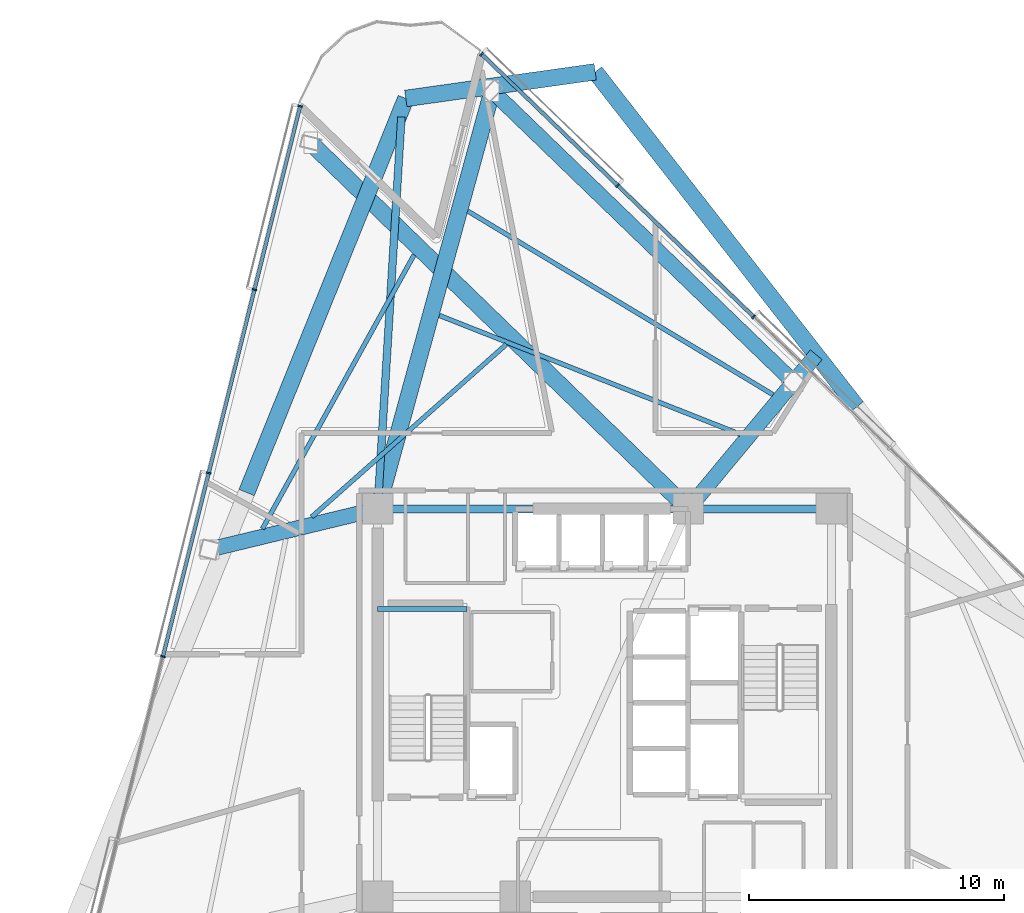
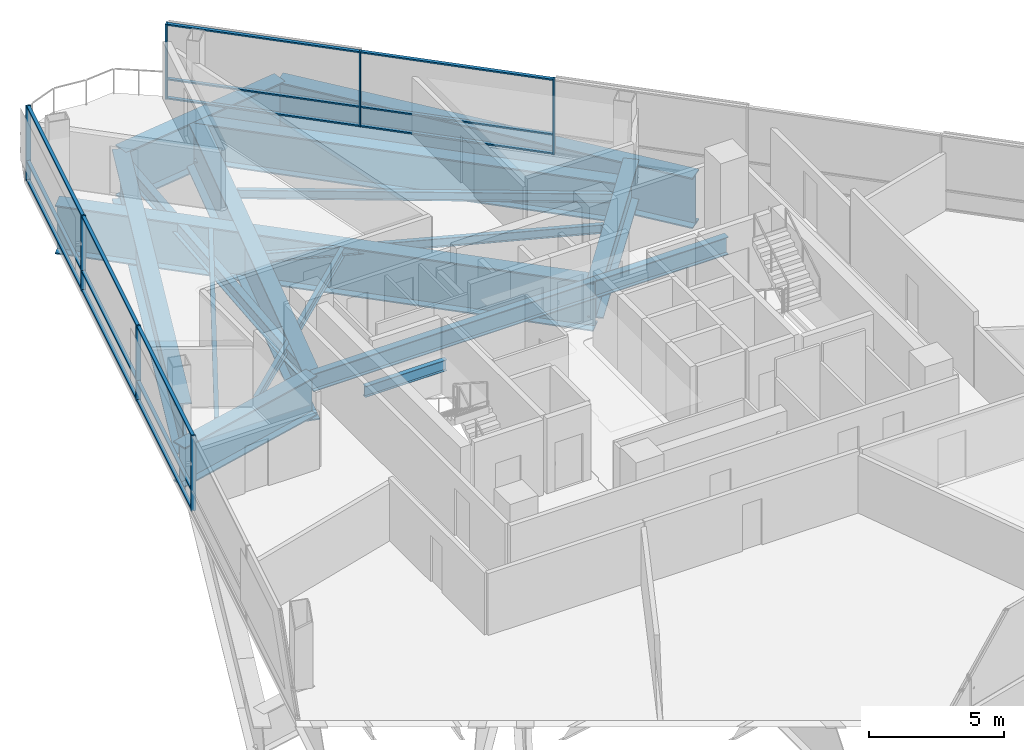
# One storey, part 8 of 21: 22 members, 16 beams, 2 elements without a shape of their own.
"""IFC4 building model written with IfcOpenShell, lengths in metres."""

from ifc_helpers import new_model, si_unit, direction, frame, origin, origin_2d, place, context, subcontext, project, spatial, rectangle, i_section, extrude, material, layer, layer_set, material_profile, profile_set, type_object, element, aggregate, save


model = new_model("IFC4")

# Units and contexts
model_context = context("Model", 3, precision=1e-05, world=origin(), true_north=direction((0.0, 1.0)))
body_context = subcontext(model_context, "Body", "Model", "MODEL_VIEW")
ifc_project = project(units=[si_unit("LENGTHUNIT", "METRE"), si_unit("AREAUNIT", "SQUARE_METRE"), si_unit("VOLUMEUNIT", "CUBIC_METRE"), si_unit("PLANEANGLEUNIT", "RADIAN"), si_unit("MASSUNIT", "GRAM", prefix="KILO")], contexts=[model_context])

# Site, building, storey
site_placement = place(None, origin())
site = spatial("IfcSite", under=ifc_project, at=site_placement, CompositionType="ELEMENT")
building_placement = place(site_placement, origin())
building = spatial("IfcBuilding", under=site, at=building_placement, Name="Tharavind Bronze Gate", CompositionType="ELEMENT")
storey_placement = place(building_placement, frame((0.0, 0.0, 86.10009765625)))
storey = spatial("IfcBuildingStorey", under=building, at=storey_placement, Name="L21", CompositionType="ELEMENT", Elevation=86.10009765625)

# Curtain wall, members
ifc_material_1 = material(Name="Anodised Bronze Aluminium", Category="aluminium")
ifc_layer = layer(ifc_material_1, 0.219970703125)
ifc_layer_set = layer_set([ifc_layer], Name="Anodised Bronze Aluminium")
curtain_wall_type = type_object("IfcCurtainWallType", Name="UNITISED CURTAIN WALL LOWER OFFICE", PredefinedType="USERDEFINED", material=ifc_layer_set)
curtain_wall_1_placement = place(storey_placement, origin())
curtain_wall_1 = element("IfcCurtainWall", 1, at=curtain_wall_1_placement, inside=storey, type_object=curtain_wall_type, Name="L21 unitised curtain wall lower office CW-L21-S1", ObjectType="UNITISED CURTAIN WALL", PredefinedType="USERDEFINED")
member_type_1 = type_object("IfcMemberType", Name="CURTAIN WALL BRONZE MULLION 65X180", PredefinedType="MULLION", material=ifc_material_1)
member_1_placement = place(storey_placement, frame((-11.93359375, 23.394287109375, 0.0), z_axis=(0.0, 0.0, 1.0), x_axis=(-0.2419218956, -0.970295726276, 0.0)))
member_1 = element("IfcMember", 2, at=member_1_placement, type_object=member_type_1, Name="CW-L21-S1 mullion 1", PredefinedType="MULLION", context=body_context, shape_type="SweptSolid", body=[
    extrude(rectangle(XDim=0.06494140625, YDim=0.179931640625, at=origin_2d()), origin(), (0.0, 0.0, 1.0), 3.409912109375),
])
member_2_placement = place(storey_placement, frame((-13.727294921875, 16.2001953125, 0.0), z_axis=(0.0, 0.0, 1.0), x_axis=(-0.2419218956, -0.970295726276, 0.0)))
member_2 = element("IfcMember", 3, at=member_2_placement, type_object=member_type_1, Name="CW-L21-S1 mullion 2", PredefinedType="MULLION", context=body_context, shape_type="SweptSolid", body=[
    extrude(rectangle(XDim=0.06494140625, YDim=0.179931640625, at=origin_2d()), origin(), (0.0, 0.0, 1.0), 3.409912109375),
])
member_3_placement = place(storey_placement, frame((-15.52099609375, 9.00634765625, 0.0), z_axis=(0.0, 0.0, 1.0), x_axis=(-0.2419218956, -0.970295726276, 0.0)))
member_3 = element("IfcMember", 4, at=member_3_placement, type_object=member_type_1, Name="CW-L21-S1 mullion 3", PredefinedType="MULLION", context=body_context, shape_type="SweptSolid", body=[
    extrude(rectangle(XDim=0.06494140625, YDim=0.179931640625, at=origin_2d()), origin(), (0.0, 0.0, 1.0), 3.409912109375),
])
member_4_placement = place(storey_placement, frame((-17.314697265625, 1.812255859375, 0.0), z_axis=(0.0, 0.0, 1.0), x_axis=(-0.2419218956, -0.970295726276, 0.0)))
member_4 = element("IfcMember", 5, at=member_4_placement, type_object=member_type_1, Name="CW-L21-S1 mullion 4", PredefinedType="MULLION", context=body_context, shape_type="SweptSolid", body=[
    extrude(rectangle(XDim=0.06494140625, YDim=0.179931640625, at=origin_2d()), origin(), (0.0, 0.0, 1.0), 3.409912109375),
])

curtain_wall_2_placement = place(storey_placement, origin())
curtain_wall_2 = element("IfcCurtainWall", 6, at=curtain_wall_2_placement, inside=storey, type_object=curtain_wall_type, Name="L21 unitised curtain wall lower office CW-L21-S3", ObjectType="UNITISED CURTAIN WALL", PredefinedType="USERDEFINED")
member_5_placement = place(storey_placement, frame((5.84619140625, 15.13330078125, 0.0), z_axis=(0.0, 0.0, 1.0), x_axis=(-0.719341012745, 0.694657114973, 0.0)))
member_5 = element("IfcMember", 7, at=member_5_placement, type_object=member_type_1, Name="CW-L21-S3 mullion 6", PredefinedType="MULLION", context=body_context, shape_type="SweptSolid", body=[
    extrude(rectangle(XDim=0.06494140625, YDim=0.179931640625, at=origin_2d()), origin(), (0.0, 0.0, 1.0), 3.409912109375),
])
member_6_placement = place(storey_placement, frame((0.512939453125, 20.28369140625, 0.0), z_axis=(0.0, 0.0, 1.0), x_axis=(-0.719341012745, 0.694657114973, 0.0)))
member_6 = element("IfcMember", 8, at=member_6_placement, type_object=member_type_1, Name="CW-L21-S3 mullion 7", PredefinedType="MULLION", context=body_context, shape_type="SweptSolid", body=[
    extrude(rectangle(XDim=0.06494140625, YDim=0.179931640625, at=origin_2d()), origin(), (0.0, 0.0, 1.0), 3.409912109375),
])
member_7_placement = place(storey_placement, frame((-4.8203125, 25.433837890625, 0.0), z_axis=(0.0, 0.0, 1.0), x_axis=(-0.719341012745, 0.694657114973, 0.0)))
member_7 = element("IfcMember", 9, at=member_7_placement, type_object=member_type_1, Name="CW-L21-S3 mullion 8", PredefinedType="MULLION", context=body_context, shape_type="SweptSolid", body=[
    extrude(rectangle(XDim=0.06494140625, YDim=0.179931640625, at=origin_2d()), origin(), (0.0, 0.0, 1.0), 3.409912109375),
])

# Member
member_type_2 = type_object("IfcMemberType", Name="CURTAIN WALL BRONZE TRANSOM 65X140", PredefinedType="USERDEFINED", material=ifc_material_1)
member_8_placement = place(storey_placement, frame((-12.83056640625, 19.797119140625, 0.0), z_axis=(0.0, 0.0, 1.0), x_axis=(-0.2419218956, -0.970295726276, 0.0)))
member_8 = element("IfcMember", 10, at=member_8_placement, type_object=member_type_2, Name="CW-L21-S1 transom TB1", ObjectType="TRANSOM", PredefinedType="USERDEFINED", context=body_context, shape_type="SweptSolid", body=[
    extrude(rectangle(XDim=7.361083984375, YDim=0.139892578125, at=origin_2d()), origin(), (0.0, 0.0, 1.0), 0.06494140625),
])

member_9_placement = place(storey_placement, frame((-12.83056640625, 19.797119140625, 0.867431640625), z_axis=(0.0, 0.0, 1.0), x_axis=(-0.2419218956, -0.970295726276, 0.0)))
member_9 = element("IfcMember", 11, at=member_9_placement, type_object=member_type_2, Name="CW-L21-S1 transom TS1", ObjectType="TRANSOM", PredefinedType="USERDEFINED", context=body_context, shape_type="SweptSolid", body=[
    extrude(rectangle(XDim=7.361083984375, YDim=0.139892578125, at=origin_2d()), origin(), (0.0, 0.0, 1.0), 0.06494140625),
])

member_10_placement = place(storey_placement, frame((-12.83056640625, 19.797119140625, 3.344970703125), z_axis=(0.0, 0.0, 1.0), x_axis=(-0.2419218956, -0.970295726276, 0.0)))
member_10 = element("IfcMember", 12, at=member_10_placement, type_object=member_type_2, Name="CW-L21-S1 transom TT1", ObjectType="TRANSOM", PredefinedType="USERDEFINED", context=body_context, shape_type="SweptSolid", body=[
    extrude(rectangle(XDim=7.361083984375, YDim=0.139892578125, at=origin_2d()), origin(), (0.0, 0.0, 1.0), 0.06494140625),
])

member_11_placement = place(storey_placement, frame((-14.624267578125, 12.603271484375, 0.0), z_axis=(0.0, 0.0, 1.0), x_axis=(-0.2419218956, -0.970295726276, 0.0)))
member_11 = element("IfcMember", 13, at=member_11_placement, type_object=member_type_2, Name="CW-L21-S1 transom TB2", ObjectType="TRANSOM", PredefinedType="USERDEFINED", context=body_context, shape_type="SweptSolid", body=[
    extrude(rectangle(XDim=7.361083984375, YDim=0.139892578125, at=origin_2d()), origin(), (0.0, 0.0, 1.0), 0.06494140625),
])

member_12_placement = place(storey_placement, frame((-14.624267578125, 12.603271484375, 0.867431640625), z_axis=(0.0, 0.0, 1.0), x_axis=(-0.2419218956, -0.970295726276, 0.0)))
member_12 = element("IfcMember", 14, at=member_12_placement, type_object=member_type_2, Name="CW-L21-S1 transom TS2", ObjectType="TRANSOM", PredefinedType="USERDEFINED", context=body_context, shape_type="SweptSolid", body=[
    extrude(rectangle(XDim=7.361083984375, YDim=0.139892578125, at=origin_2d()), origin(), (0.0, 0.0, 1.0), 0.06494140625),
])

member_13_placement = place(storey_placement, frame((-14.624267578125, 12.603271484375, 3.344970703125), z_axis=(0.0, 0.0, 1.0), x_axis=(-0.2419218956, -0.970295726276, 0.0)))
member_13 = element("IfcMember", 15, at=member_13_placement, type_object=member_type_2, Name="CW-L21-S1 transom TT2", ObjectType="TRANSOM", PredefinedType="USERDEFINED", context=body_context, shape_type="SweptSolid", body=[
    extrude(rectangle(XDim=7.361083984375, YDim=0.139892578125, at=origin_2d()), origin(), (0.0, 0.0, 1.0), 0.06494140625),
])

member_14_placement = place(storey_placement, frame((-16.417724609375, 5.4091796875, 0.0), z_axis=(0.0, 0.0, 1.0), x_axis=(-0.2419218956, -0.970295726276, 0.0)))
member_14 = element("IfcMember", 16, at=member_14_placement, type_object=member_type_2, Name="CW-L21-S1 transom TB3", ObjectType="TRANSOM", PredefinedType="USERDEFINED", context=body_context, shape_type="SweptSolid", body=[
    extrude(rectangle(XDim=7.361083984375, YDim=0.139892578125, at=origin_2d()), origin(), (0.0, 0.0, 1.0), 0.06494140625),
])

member_15_placement = place(storey_placement, frame((-16.417724609375, 5.4091796875, 0.867431640625), z_axis=(0.0, 0.0, 1.0), x_axis=(-0.2419218956, -0.970295726276, 0.0)))
member_15 = element("IfcMember", 17, at=member_15_placement, type_object=member_type_2, Name="CW-L21-S1 transom TS3", ObjectType="TRANSOM", PredefinedType="USERDEFINED", context=body_context, shape_type="SweptSolid", body=[
    extrude(rectangle(XDim=7.361083984375, YDim=0.139892578125, at=origin_2d()), origin(), (0.0, 0.0, 1.0), 0.06494140625),
])

member_16_placement = place(storey_placement, frame((-16.417724609375, 5.4091796875, 3.344970703125), z_axis=(0.0, 0.0, 1.0), x_axis=(-0.2419218956, -0.970295726276, 0.0)))
member_16 = element("IfcMember", 18, at=member_16_placement, type_object=member_type_2, Name="CW-L21-S1 transom TT3", ObjectType="TRANSOM", PredefinedType="USERDEFINED", context=body_context, shape_type="SweptSolid", body=[
    extrude(rectangle(XDim=7.361083984375, YDim=0.139892578125, at=origin_2d()), origin(), (0.0, 0.0, 1.0), 0.06494140625),
])

aggregate(curtain_wall_1, [member_1, member_2, member_3, member_4, member_8, member_9, member_10, member_11, member_12, member_13, member_14, member_15, member_16])

member_17_placement = place(storey_placement, frame((3.1796875, 17.70849609375, 0.0), z_axis=(0.0, 0.0, 1.0), x_axis=(-0.719341012745, 0.694657114973, 0.0)))
member_17 = element("IfcMember", 19, at=member_17_placement, type_object=member_type_2, Name="CW-L21-S3 transom TB6", ObjectType="TRANSOM", PredefinedType="USERDEFINED", context=body_context, shape_type="SweptSolid", body=[
    extrude(rectangle(XDim=7.361083984375, YDim=0.139892578125, at=origin_2d()), origin(), (0.0, 0.0, 1.0), 0.06494140625),
])

member_18_placement = place(storey_placement, frame((3.1796875, 17.70849609375, 0.867431640625), z_axis=(0.0, 0.0, 1.0), x_axis=(-0.719341012745, 0.694657114973, 0.0)))
member_18 = element("IfcMember", 20, at=member_18_placement, type_object=member_type_2, Name="CW-L21-S3 transom TS6", ObjectType="TRANSOM", PredefinedType="USERDEFINED", context=body_context, shape_type="SweptSolid", body=[
    extrude(rectangle(XDim=7.361083984375, YDim=0.139892578125, at=origin_2d()), origin(), (0.0, 0.0, 1.0), 0.06494140625),
])

member_19_placement = place(storey_placement, frame((3.1796875, 17.70849609375, 3.344970703125), z_axis=(0.0, 0.0, 1.0), x_axis=(-0.719341012745, 0.694657114973, 0.0)))
member_19 = element("IfcMember", 21, at=member_19_placement, type_object=member_type_2, Name="CW-L21-S3 transom TT6", ObjectType="TRANSOM", PredefinedType="USERDEFINED", context=body_context, shape_type="SweptSolid", body=[
    extrude(rectangle(XDim=7.361083984375, YDim=0.139892578125, at=origin_2d()), origin(), (0.0, 0.0, 1.0), 0.06494140625),
])

member_20_placement = place(storey_placement, frame((-2.15380859375, 22.858642578125, 0.0), z_axis=(0.0, 0.0, 1.0), x_axis=(-0.719341012745, 0.694657114973, 0.0)))
member_20 = element("IfcMember", 22, at=member_20_placement, type_object=member_type_2, Name="CW-L21-S3 transom TB7", ObjectType="TRANSOM", PredefinedType="USERDEFINED", context=body_context, shape_type="SweptSolid", body=[
    extrude(rectangle(XDim=7.361083984375, YDim=0.139892578125, at=origin_2d()), origin(), (0.0, 0.0, 1.0), 0.06494140625),
])

member_21_placement = place(storey_placement, frame((-2.15380859375, 22.858642578125, 0.867431640625), z_axis=(0.0, 0.0, 1.0), x_axis=(-0.719341012745, 0.694657114973, 0.0)))
member_21 = element("IfcMember", 23, at=member_21_placement, type_object=member_type_2, Name="CW-L21-S3 transom TS7", ObjectType="TRANSOM", PredefinedType="USERDEFINED", context=body_context, shape_type="SweptSolid", body=[
    extrude(rectangle(XDim=7.361083984375, YDim=0.139892578125, at=origin_2d()), origin(), (0.0, 0.0, 1.0), 0.06494140625),
])

member_22_placement = place(storey_placement, frame((-2.15380859375, 22.858642578125, 3.344970703125), z_axis=(0.0, 0.0, 1.0), x_axis=(-0.719341012745, 0.694657114973, 0.0)))
member_22 = element("IfcMember", 24, at=member_22_placement, type_object=member_type_2, Name="CW-L21-S3 transom TT7", ObjectType="TRANSOM", PredefinedType="USERDEFINED", context=body_context, shape_type="SweptSolid", body=[
    extrude(rectangle(XDim=7.361083984375, YDim=0.139892578125, at=origin_2d()), origin(), (0.0, 0.0, 1.0), 0.06494140625),
])

aggregate(curtain_wall_2, [member_5, member_6, member_7, member_17, member_18, member_19, member_20, member_21, member_22])

# Beams
ifc_material_2 = material(Name="Steel S355", Category="steel")
ifc_material_profile_1 = material_profile(ifc_material_2, i_section(OverallWidth=0.300048828125, OverallDepth=0.64990234375, WebThickness=0.01611328125, FlangeThickness=0.031005859375, at=origin_2d()), Name="HE650B")
ifc_profile_set_1 = profile_set([ifc_material_profile_1], Name="Steel S355")
beam_type_1 = type_object("IfcBeamType", Name="PRIMARY GIRDER HE650B", PredefinedType="USERDEFINED", material=ifc_profile_set_1)
beam_1_placement = place(storey_placement, frame((-8.89990234375, 7.60009765625, -0.51513671875), z_axis=(0.060795156935, 0.998150263684, 0.0), x_axis=(-0.998150263684, 0.060795156935, 0.0)))
element("IfcBeam", 25, at=beam_1_placement, inside=storey, type_object=beam_type_1, Name="L21 primary girder he650b BM-L21-BLCSB", ObjectType="GIRDER", PredefinedType="USERDEFINED", context=body_context, shape_type="SweptSolid", body=[
    extrude(i_section(OverallWidth=0.300048828125, OverallDepth=0.64990234375, WebThickness=0.01611328125, FlangeThickness=0.031005859375, at=origin_2d()), origin(), (0.0, 0.0, 1.0), 15.400634765625),
])
ifc_material_profile_2 = material_profile(ifc_material_2, i_section(OverallWidth=0.199951171875, OverallDepth=0.5, WebThickness=0.01025390625, FlangeThickness=0.01611328125, at=origin_2d()), Name="IPE500")
ifc_profile_set_2 = profile_set([ifc_material_profile_2], Name="Steel S355")
beam_type_2 = type_object("IfcBeamType", Name="PRIMARY GIRDER IPE500", PredefinedType="USERDEFINED", material=ifc_profile_set_2)
beam_2_placement = place(storey_placement, frame((-8.89990234375, 3.679931640625, 1.349853515625), z_axis=(1.0, 0.0, 0.0), x_axis=(0.0, 1.0, 0.0)))
element("IfcBeam", 26, at=beam_2_placement, inside=storey, type_object=beam_type_2, Name="L21 primary girder ipe500 BM-LD-ST1-L21-1", ObjectType="GIRDER", PredefinedType="USERDEFINED", context=body_context, shape_type="SweptSolid", body=[
    extrude(i_section(OverallWidth=0.199951171875, OverallDepth=0.5, WebThickness=0.01025390625, FlangeThickness=0.01611328125, at=origin_2d()), origin(), (0.0, 0.0, 1.0), 3.5),
])
ifc_material_profile_3 = material_profile(ifc_material_2, i_section(OverallWidth=0.300048828125, OverallDepth=0.800048828125, WebThickness=0.017578125, FlangeThickness=0.032958984375, at=origin_2d()), Name="HE800B")
ifc_profile_set_3 = profile_set([ifc_material_profile_3], Name="Steel S355")
beam_type_3 = type_object("IfcBeamType", Name="RING GIRDER HE800B", PredefinedType="USERDEFINED", material=ifc_profile_set_3)
beam_3_placement = place(storey_placement, frame((8.89990234375, 7.60009765625, -0.590087890625), z_axis=(-1.0, 0.0, 0.0), x_axis=(0.0, -1.0, 0.0)))
element("IfcBeam", 27, at=beam_3_placement, inside=storey, type_object=beam_type_3, Name="L21 ring girder he800b BM-L21-CR4", ObjectType="GIRDER", PredefinedType="USERDEFINED", context=body_context, shape_type="SweptSolid", body=[
    extrude(i_section(OverallWidth=0.300048828125, OverallDepth=0.800048828125, WebThickness=0.017578125, FlangeThickness=0.032958984375, at=origin_2d()), origin(), (0.0, 0.0, 1.0), 5.619873046875),
])
beam_4_placement = place(storey_placement, frame((3.280029296875, 7.60009765625, -0.590087890625), z_axis=(-1.0, 0.0, 0.0), x_axis=(0.0, -1.0, 0.0)))
element("IfcBeam", 28, at=beam_4_placement, inside=storey, type_object=beam_type_3, Name="L21 ring girder he800b BM-L21-CR5", ObjectType="GIRDER", PredefinedType="USERDEFINED", context=body_context, shape_type="SweptSolid", body=[
    extrude(i_section(OverallWidth=0.300048828125, OverallDepth=0.800048828125, WebThickness=0.017578125, FlangeThickness=0.032958984375, at=origin_2d()), origin(), (0.0, 0.0, 1.0), 12.179931640625),
])
ifc_material_profile_4 = material_profile(ifc_material_2, i_section(OverallWidth=0.179931640625, OverallDepth=0.39990234375, WebThickness=0.008544921875, FlangeThickness=0.013427734375, at=origin_2d()), Name="IPE400")
ifc_profile_set_4 = profile_set([ifc_material_profile_4], Name="Steel S355")
beam_type_4 = type_object("IfcBeamType", Name="SECONDARY FLOOR JOIST IPE400", PredefinedType="JOIST", material=ifc_profile_set_4)
beam_5_placement = place(storey_placement, frame((-3.84912109375, 14.054931640625, -0.39013671875), z_axis=(-0.74832993518, -0.663326697874, 0.0), x_axis=(0.663326697874, -0.74832993518, 0.0)))
element("IfcBeam", 29, at=beam_5_placement, inside=storey, type_object=beam_type_4, Name="L21 secondary floor joist ipe400 BM-L21-JSTA01", PredefinedType="JOIST", context=body_context, shape_type="SweptSolid", body=[
    extrude(i_section(OverallWidth=0.179931640625, OverallDepth=0.39990234375, WebThickness=0.008544921875, FlangeThickness=0.013427734375, at=origin_2d()), origin(), (0.0, 0.0, 1.0), 10.20458984375),
])
beam_6_placement = place(storey_placement, frame((-7.46728515625, 17.56396484375, -0.39013671875), z_axis=(-0.484454187369, -0.87481663241, 0.0), x_axis=(0.87481663241, -0.484454187369, 0.0)))
element("IfcBeam", 30, at=beam_6_placement, inside=storey, type_object=beam_type_4, Name="L21 secondary floor joist ipe400 BM-L21-JSTB01", PredefinedType="JOIST", context=body_context, shape_type="SweptSolid", body=[
    extrude(i_section(OverallWidth=0.179931640625, OverallDepth=0.39990234375, WebThickness=0.008544921875, FlangeThickness=0.013427734375, at=origin_2d()), origin(), (0.0, 0.0, 1.0), 12.28076171875),
])
beam_7_placement = place(storey_placement, frame((5.318603515625, 10.52880859375, -0.39013671875), z_axis=(-0.930082031243, 0.367351895543, 0.0), x_axis=(-0.367351895543, -0.930082031243, 0.0)))
element("IfcBeam", 31, at=beam_7_placement, inside=storey, type_object=beam_type_4, Name="L21 secondary floor joist ipe400 BM-L21-JSTA11", PredefinedType="JOIST", context=body_context, shape_type="SweptSolid", body=[
    extrude(i_section(OverallWidth=0.179931640625, OverallDepth=0.39990234375, WebThickness=0.008544921875, FlangeThickness=0.013427734375, at=origin_2d()), origin(), (0.0, 0.0, 1.0), 12.6845703125),
])
beam_8_placement = place(storey_placement, frame((6.6083984375, 12.08154296875, -0.39013671875), z_axis=(-0.856927789218, 0.515436479177, 0.0), x_axis=(-0.515436479177, -0.856927789218, 0.0)))
element("IfcBeam", 32, at=beam_8_placement, inside=storey, type_object=beam_type_4, Name="L21 secondary floor joist ipe400 BM-L21-JSTB11", PredefinedType="JOIST", context=body_context, shape_type="SweptSolid", body=[
    extrude(i_section(OverallWidth=0.179931640625, OverallDepth=0.39990234375, WebThickness=0.008544921875, FlangeThickness=0.013427734375, at=origin_2d()), origin(), (0.0, 0.0, 1.0), 13.9638671875),
])
ifc_material_3 = material(Name="Steel S460", Category="steel")
ifc_material_profile_5 = material_profile(ifc_material_3, i_section(OverallWidth=0.60009765625, OverallDepth=1.800048828125, WebThickness=0.031982421875, FlangeThickness=0.054931640625, at=origin_2d()), Name="PG1800X600")
ifc_profile_set_5 = profile_set([ifc_material_profile_5], Name="Steel S460")
beam_type_5 = type_object("IfcBeamType", Name="TRANSFER GIRDER 1800X600", PredefinedType="USERDEFINED", material=ifc_profile_set_5)
beam_9_placement = place(storey_placement, frame((7.41455078125, 12.576171875, -1.090087890625), z_axis=(-0.719336950964, 0.694661321061, 0.0), x_axis=(-0.694661321061, -0.719336950964, 0.0)))
element("IfcBeam", 33, at=beam_9_placement, inside=storey, type_object=beam_type_5, Name="L21 transfer girder 1800x600 BM-L21-URG11", ObjectType="TRANSFER GIRDER", PredefinedType="USERDEFINED", context=body_context, shape_type="SweptSolid", body=[
    extrude(i_section(OverallWidth=0.60009765625, OverallDepth=1.800048828125, WebThickness=0.031982421875, FlangeThickness=0.054931640625, at=origin_2d()), origin(), (0.0, 0.0, 1.0), 16.433837890625),
])
beam_10_placement = place(storey_placement, frame((-8.89990234375, 7.60009765625, -1.090087890625), z_axis=(-0.972035781116, -0.234832792069, 0.0), x_axis=(0.234832792069, -0.972035781116, 0.0)))
element("IfcBeam", 34, at=beam_10_placement, inside=storey, type_object=beam_type_5, Name="L21 transfer girder 1800x600 BM-L21-XFR02", ObjectType="TRANSFER GIRDER", PredefinedType="USERDEFINED", context=body_context, shape_type="SweptSolid", body=[
    extrude(i_section(OverallWidth=0.60009765625, OverallDepth=1.800048828125, WebThickness=0.031982421875, FlangeThickness=0.054931640625, at=origin_2d()), origin(), (0.0, 0.0, 1.0), 6.78564453125),
])
beam_11_placement = place(storey_placement, frame((3.280029296875, 7.60009765625, -1.090087890625), z_axis=(0.639074819161, 0.76914457387, 0.0), x_axis=(-0.76914457387, 0.639074819161, 0.0)))
element("IfcBeam", 35, at=beam_11_placement, inside=storey, type_object=beam_type_5, Name="L21 transfer girder 1800x600 BM-L21-XFR11", ObjectType="TRANSFER GIRDER", PredefinedType="USERDEFINED", context=body_context, shape_type="SweptSolid", body=[
    extrude(i_section(OverallWidth=0.60009765625, OverallDepth=1.800048828125, WebThickness=0.031982421875, FlangeThickness=0.054931640625, at=origin_2d()), origin(), (0.0, 0.0, 1.0), 7.86083984375),
])
ifc_material_profile_6 = material_profile(ifc_material_3, i_section(OverallWidth=0.64990234375, OverallDepth=2.199951171875, WebThickness=0.035888671875, FlangeThickness=0.054931640625, at=origin_2d()), Name="PG2200X650")
ifc_profile_set_6 = profile_set([ifc_material_profile_6], Name="Steel S460")
beam_type_6 = type_object("IfcBeamType", Name="TRANSFER GIRDER 2200X650", PredefinedType="USERDEFINED", material=ifc_profile_set_6)
beam_12_placement = place(storey_placement, frame((3.280029296875, 7.60009765625, -1.2900390625), z_axis=(-0.717888377565, 0.696158227243, 0.0), x_axis=(-0.696158227243, -0.717888377565, 0.0)))
element("IfcBeam", 36, at=beam_12_placement, inside=storey, type_object=beam_type_6, Name="L21 transfer girder 2200x650 BM-L21-XFR01", ObjectType="TRANSFER GIRDER", PredefinedType="USERDEFINED", context=body_context, shape_type="SweptSolid", body=[
    extrude(i_section(OverallWidth=0.64990234375, OverallDepth=2.199951171875, WebThickness=0.035888671875, FlangeThickness=0.054931640625, at=origin_2d()), origin(), (0.0, 0.0, 1.0), 20.616455078125),
])
beam_13_placement = place(storey_placement, frame((-8.89990234375, 7.60009765625, -1.2900390625), z_axis=(0.264346428508, 0.964427791872, 0.0), x_axis=(-0.964427791872, 0.264346428508, 0.0)))
element("IfcBeam", 37, at=beam_13_placement, inside=storey, type_object=beam_type_6, Name="L21 transfer girder 2200x650 BM-L21-XFR12", ObjectType="TRANSFER GIRDER", PredefinedType="USERDEFINED", context=body_context, shape_type="SweptSolid", body=[
    extrude(i_section(OverallWidth=0.64990234375, OverallDepth=2.199951171875, WebThickness=0.035888671875, FlangeThickness=0.054931640625, at=origin_2d()), origin(), (0.0, 0.0, 1.0), 17.192138671875),
])
ifc_material_profile_7 = material_profile(ifc_material_3, i_section(OverallWidth=0.64990234375, OverallDepth=2.300048828125, WebThickness=0.035888671875, FlangeThickness=0.05810546875, at=origin_2d()), Name="PG2300X650")
ifc_profile_set_7 = profile_set([ifc_material_profile_7], Name="Steel S460")
beam_type_7 = type_object("IfcBeamType", Name="TRANSFER GIRDER 2300X650", PredefinedType="USERDEFINED", material=ifc_profile_set_7)
beam_14_placement = place(storey_placement, frame((-7.7919921875, 23.69775390625, -1.340087890625), z_axis=(-0.374603014443, -0.927185300557, 0.0), x_axis=(0.927185300557, -0.374603014443, 0.0)))
element("IfcBeam", 38, at=beam_14_placement, inside=storey, type_object=beam_type_7, Name="L21 transfer girder 2300x650 BM-L21-LRG01", ObjectType="TRANSFER GIRDER", PredefinedType="USERDEFINED", context=body_context, shape_type="SweptSolid", body=[
    extrude(i_section(OverallWidth=0.64990234375, OverallDepth=2.300048828125, WebThickness=0.035888671875, FlangeThickness=0.05810546875, at=origin_2d()), origin(), (0.0, 0.0, 1.0), 16.66943359375),
])
beam_15_placement = place(storey_placement, frame((9.897705078125, 11.60595703125, -1.340087890625), z_axis=(-0.615665926595, 0.788007275873, 0.0), x_axis=(-0.788007275873, -0.615665926595, 0.0)))
element("IfcBeam", 39, at=beam_15_placement, inside=storey, type_object=beam_type_7, Name="L21 transfer girder 2300x650 BM-L21-LRG11", ObjectType="TRANSFER GIRDER", PredefinedType="USERDEFINED", context=body_context, shape_type="SweptSolid", body=[
    extrude(i_section(OverallWidth=0.64990234375, OverallDepth=2.300048828125, WebThickness=0.035888671875, FlangeThickness=0.05810546875, at=origin_2d()), origin(), (0.0, 0.0, 1.0), 16.669189453125),
])
beam_16_placement = place(storey_placement, frame((-0.364990234375, 24.741455078125, -1.340087890625), z_axis=(-0.990269830577, -0.139160564272, 0.0), x_axis=(0.139160564272, -0.990269830577, 0.0)))
element("IfcBeam", 40, at=beam_16_placement, inside=storey, type_object=beam_type_7, Name="L21 transfer girder 2300x650 BM-L21-LRG12", ObjectType="TRANSFER GIRDER", PredefinedType="USERDEFINED", context=body_context, shape_type="SweptSolid", body=[
    extrude(i_section(OverallWidth=0.64990234375, OverallDepth=2.300048828125, WebThickness=0.035888671875, FlangeThickness=0.05810546875, at=origin_2d()), origin(), (0.0, 0.0, 1.0), 7.5),
])

save(model, "model.ifc")
